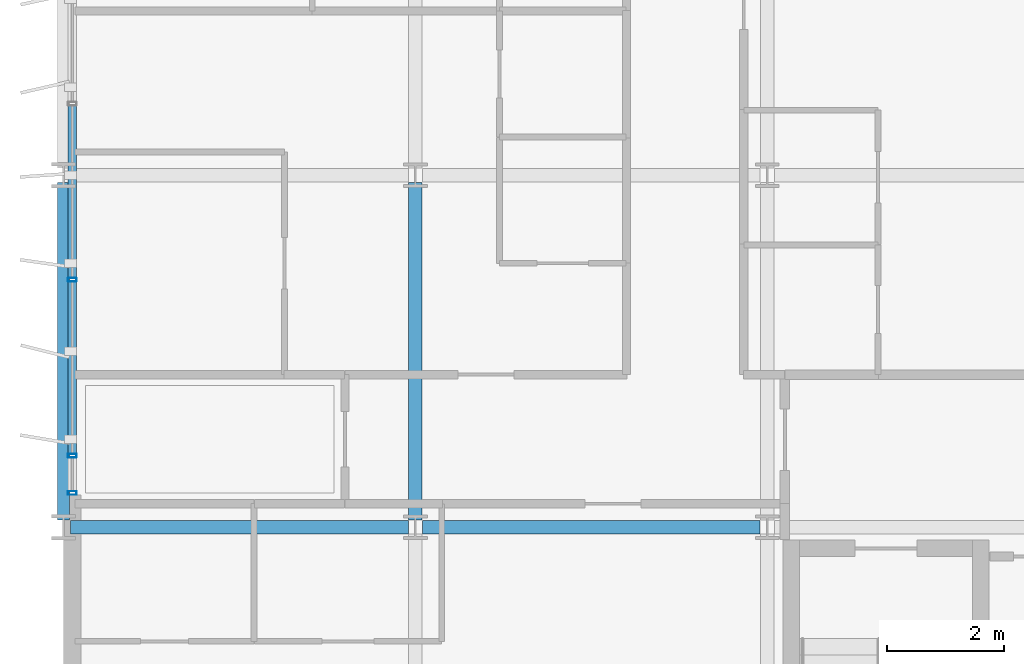
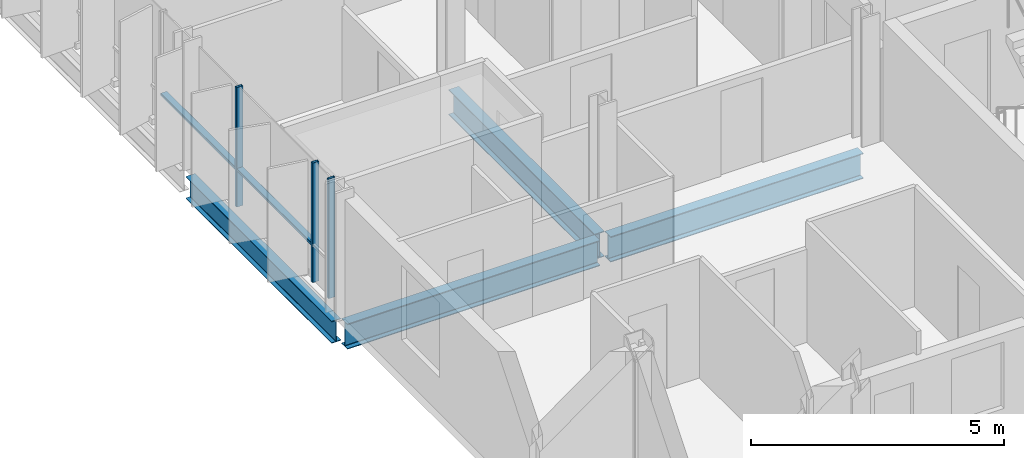
# One storey, part 2 of 38: 5 members, 4 beams, 1 element without a shape of its own.
"""IFC4 building model written with IfcOpenShell, lengths in metres."""

from ifc_helpers import new_model, si_unit, direction, frame, origin, origin_2d, place, context, subcontext, project, spatial, hollow_rectangle, i_section, extrude, material, layer, layer_set, material_profile, profile_set, type_object, element, aggregate, save


model = new_model("IFC4")

# Units and contexts
model_context = context("Model", 3, precision=1e-05, world=origin(), true_north=direction((0.0, 1.0)))
body_context = subcontext(model_context, "Body", "Model", "MODEL_VIEW")
ifc_project = project(units=[si_unit("LENGTHUNIT", "METRE"), si_unit("AREAUNIT", "SQUARE_METRE"), si_unit("VOLUMEUNIT", "CUBIC_METRE"), si_unit("PLANEANGLEUNIT", "RADIAN"), si_unit("MASSUNIT", "GRAM", prefix="KILO")], contexts=[model_context])

# Site, building, storey
site_placement = place(None, origin())
site = spatial("IfcSite", under=ifc_project, at=site_placement, CompositionType="ELEMENT")
building_placement = place(site_placement, origin())
building = spatial("IfcBuilding", under=site, at=building_placement, Name="Brevholm Reach", CompositionType="ELEMENT")
storey_placement = place(building_placement, frame((0.0, 0.0, 128.300048828125)))
storey = spatial("IfcBuildingStorey", under=building, at=storey_placement, Name="L38", CompositionType="ELEMENT", Elevation=128.300048828125)

# Beams
ifc_material_1 = material(Name="Structural Steel S355J2", Category="steel")
ifc_material_profile_1 = material_profile(ifc_material_1, i_section(OverallWidth=0.209228515625, OverallDepth=0.533203125, WebThickness=0.010009765625, FlangeThickness=0.015625, FilletRadius=0.0126953125, at=origin_2d()), Name="UKB 533x210x92")
ifc_profile_set_1 = profile_set([ifc_material_profile_1], Name="Structural Steel S355J2")
beam_type_1 = type_object("IfcBeamType", Name="BM-SP533", PredefinedType="SPANDREL", material=ifc_profile_set_1)
beam_placement = place(storey_placement, frame((0.0, 10.1201171875, -0.486572265625), z_axis=(0.0, 1.0, 0.0), x_axis=(-1.0, 0.0, 0.0)))
element("IfcBeam", 1, at=beam_placement, inside=storey, type_object=beam_type_1, Name="L38 SP-02 Framing Beam", PredefinedType="SPANDREL", context=body_context, shape_type="SweptSolid", body=[
    extrude(i_section(OverallWidth=0.209228515625, OverallDepth=0.533203125, WebThickness=0.010009765625, FlangeThickness=0.015625, FilletRadius=0.0126953125, at=origin_2d()), origin(), (0.0, 0.0, 1.0), 5.759765625),
])
ifc_material_2 = material(Name="Structural Steel S355J2", Category="steel")
ifc_material_profile_2 = material_profile(ifc_material_2, i_section(OverallWidth=0.22900390625, OverallDepth=0.6123046875, WebThickness=0.011962890625, FlangeThickness=0.01953125, FilletRadius=0.0126953125, at=origin_2d()), Name="UKB 610x229x125")
ifc_profile_set_2 = profile_set([ifc_material_profile_2], Name="Structural Steel S355J2")
beam_type_2 = type_object("IfcBeamType", Name="BM-SP610", PredefinedType="SPANDREL", material=ifc_profile_set_2)
for number, where, z_axis, x_axis, name in (
    (2, (0.1201171875, 10.0, -0.526123046875), (1.0, 0.0, 0.0), (0.0, 1.0, 0.0), "L38 SP-01 Framing Beam"),
    (3, (6.1201171875, 10.0, -0.526123046875), (1.0, 0.0, 0.0), (0.0, 1.0, 0.0), "L38 SP-01 Framing Beam"),
    (4, (6.0, 10.1201171875, -0.526123046875), (0.0, 1.0, 0.0), (-1.0, 0.0, 0.0), "L38 SP-01 Framing Beam"),
):
    element("IfcBeam", number, at=place(storey_placement, frame(where, z_axis=z_axis, x_axis=x_axis)), inside=storey, type_object=beam_type_2, Name=name, PredefinedType="SPANDREL", context=body_context, shape_type="SweptSolid", body=[
        extrude(i_section(OverallWidth=0.22900390625, OverallDepth=0.6123046875, WebThickness=0.011962890625, FlangeThickness=0.01953125, FilletRadius=0.0126953125, at=origin_2d()), origin(), (0.0, 0.0, 1.0), 5.759765625),
    ])

# Curtain wall, members
ifc_material_3 = material(Name="Dark Anodised Aluminium 6063-T6 and Solar-Control Glass", Category="aluminium")
ifc_layer = layer(ifc_material_3, 0.14990234375)
ifc_layer_set = layer_set([ifc_layer], Name="Dark Anodised Aluminium 6063-T6 and Solar-Control Glass")
curtain_wall_type = type_object("IfcCurtainWallType", Name="CW-01", PredefinedType="NOTDEFINED", material=ifc_layer_set)
curtain_wall_placement = place(storey_placement, origin())
curtain_wall = element("IfcCurtainWall", 5, at=curtain_wall_placement, inside=storey, type_object=curtain_wall_type, Name="L38 Curtain Wall CW-01", PredefinedType="NOTDEFINED")
ifc_material_4 = material(Name="Dark Anodised Aluminium 6063-T6", Category="aluminium")
ifc_material_profile_3 = material_profile(ifc_material_4, hollow_rectangle(XDim=0.06494140625, YDim=0.14990234375, WallThickness=0.0048828125, InnerFilletRadius=0.0048828125, OuterFilletRadius=0.010009765625, at=origin_2d()), Name="RHS 150x65x5")
ifc_profile_set_3 = profile_set([ifc_material_profile_3], Name="Dark Anodised Aluminium 6063-T6")
member_type_1 = type_object("IfcMemberType", Name="CWM-150", PredefinedType="MULLION", material=ifc_profile_set_3)
member_1_placement = place(storey_placement, frame((0.14990234375, 14.219970703125, 0.0), z_axis=(0.0, 0.0, 1.0), x_axis=(0.0, -1.0, 0.0)))
member_1 = element("IfcMember", 6, at=member_1_placement, type_object=member_type_1, Name="CM-150 Mullion 4", PredefinedType="MULLION", context=body_context, shape_type="SweptSolid", body=[
    extrude(hollow_rectangle(XDim=0.06494140625, YDim=0.14990234375, WallThickness=0.0048828125, InnerFilletRadius=0.0048828125, OuterFilletRadius=0.010009765625, at=origin_2d()), origin(), (0.0, 0.0, 1.0), 2.8798828125),
])
member_2_placement = place(storey_placement, frame((0.14990234375, 11.219970703125, 0.0), z_axis=(0.0, 0.0, 1.0), x_axis=(0.0, -1.0, 0.0)))
member_2 = element("IfcMember", 7, at=member_2_placement, type_object=member_type_1, Name="CM-150 Mullion 5", PredefinedType="MULLION", context=body_context, shape_type="SweptSolid", body=[
    extrude(hollow_rectangle(XDim=0.06494140625, YDim=0.14990234375, WallThickness=0.0048828125, InnerFilletRadius=0.0048828125, OuterFilletRadius=0.010009765625, at=origin_2d()), origin(), (0.0, 0.0, 1.0), 2.8798828125),
])
member_3_placement = place(storey_placement, frame((0.14990234375, 10.58251953125, 0.0), z_axis=(0.0, 0.0, 1.0), x_axis=(0.0, -1.0, 0.0)))
member_3 = element("IfcMember", 8, at=member_3_placement, type_object=member_type_1, Name="CM-150 Mullion 6", PredefinedType="MULLION", context=body_context, shape_type="SweptSolid", body=[
    extrude(hollow_rectangle(XDim=0.06494140625, YDim=0.14990234375, WallThickness=0.0048828125, InnerFilletRadius=0.0048828125, OuterFilletRadius=0.010009765625, at=origin_2d()), origin(), (0.0, 0.0, 1.0), 2.8798828125),
])
ifc_material_5 = material(Name="Dark Anodised Aluminium 6063-T6", Category="aluminium")
ifc_material_profile_4 = material_profile(ifc_material_5, hollow_rectangle(XDim=0.06494140625, YDim=0.14990234375, WallThickness=0.0048828125, InnerFilletRadius=0.0048828125, OuterFilletRadius=0.010009765625, at=origin_2d()), Name="RHS 150x65x5")
ifc_profile_set_4 = profile_set([ifc_material_profile_4], Name="Dark Anodised Aluminium 6063-T6")
member_type_2 = type_object("IfcMemberType", Name="CWT-150", PredefinedType="NOTDEFINED", material=ifc_profile_set_4)
member_4_placement = place(storey_placement, frame((0.14990234375, 17.1875, 0.89990234375), z_axis=(0.0, -1.0, 0.0), x_axis=(0.0, 0.0, 1.0)))
member_4 = element("IfcMember", 9, at=member_4_placement, type_object=member_type_2, Name="CT-150 Transom 3.1", ObjectType="TRANSOM", PredefinedType="USERDEFINED", context=body_context, shape_type="SweptSolid", body=[
    extrude(hollow_rectangle(XDim=0.06494140625, YDim=0.14990234375, WallThickness=0.0048828125, InnerFilletRadius=0.0048828125, OuterFilletRadius=0.010009765625, at=origin_2d()), origin(), (0.0, 0.0, 1.0), 2.93505859375),
])
member_5_placement = place(storey_placement, frame((0.14990234375, 14.1875, 0.89990234375), z_axis=(0.0, -1.0, 0.0), x_axis=(0.0, 0.0, 1.0)))
member_5 = element("IfcMember", 10, at=member_5_placement, type_object=member_type_2, Name="CT-150 Transom 4.1", ObjectType="TRANSOM", PredefinedType="USERDEFINED", context=body_context, shape_type="SweptSolid", body=[
    extrude(hollow_rectangle(XDim=0.06494140625, YDim=0.14990234375, WallThickness=0.0048828125, InnerFilletRadius=0.0048828125, OuterFilletRadius=0.010009765625, at=origin_2d()), origin(), (0.0, 0.0, 1.0), 2.93505859375),
])
aggregate(curtain_wall, [member_1, member_2, member_3, member_4, member_5])

save(model, "model.ifc")
